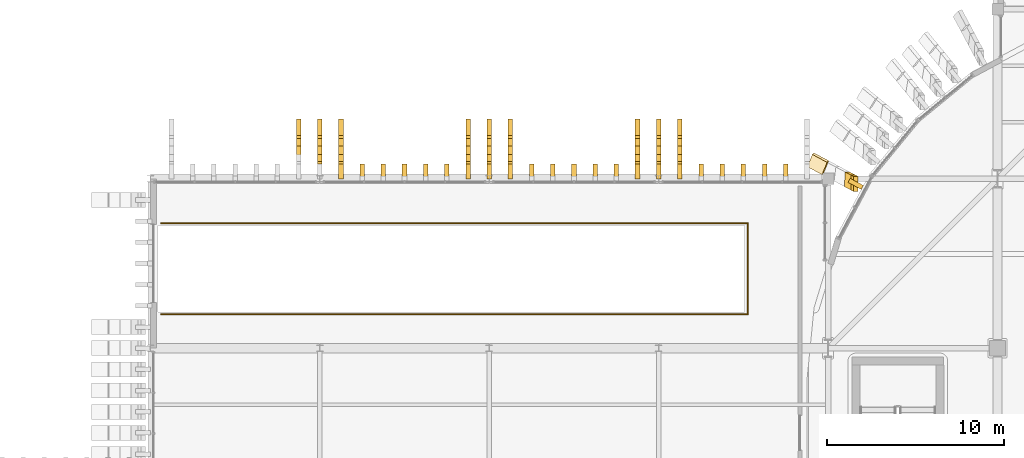
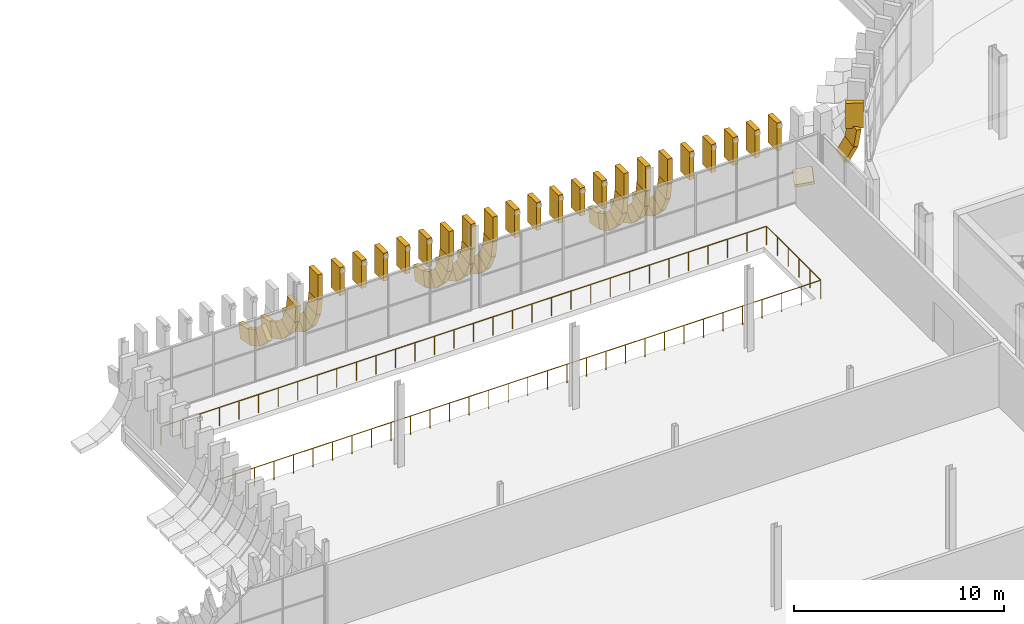
# One storey, part 80 of 100: 69 coverings, 1 railing.
"""IFC4 building model written with IfcOpenShell, lengths in metres."""

import ifcopenshell
import ifcopenshell.guid

model = None  # the IFC model being written
_history = None  # IfcOwnerHistory: only IFC2X3 demands one
_inside = {}  # id of a spatial element -> (the spatial element, [elements in it])
_under = {}  # id of a project, library or spatial element -> (it, [spatial elements below it])
_declared = {}  # id of a project -> (the project, [libraries it declares])
_typed = {}  # id of a type object -> (the type object, [elements of that type])
_made_of = {}  # id of a material, layer set ... -> (it, [elements and type objects made of it])


def new_model(schema):
    """Start an empty IFC model of exactly this schema.

    Asked for "IFC4X3", IfcOpenShell would pick the latest addendum, in which some entities
    have other attributes; the version numbers below select the first issue.
    IFC2X3 requires an IfcOwnerHistory on every rooted entity: one is made here for all.
    """
    global model, _history
    if schema == "IFC4X3":
        model = ifcopenshell.file(schema_version=(4, 3, 0, 0))
    else:
        model = ifcopenshell.file(schema=schema)
    _inside.clear()
    _under.clear()
    _declared.clear()
    _typed.clear()
    _made_of.clear()
    _history = None
    if model.schema == "IFC2X3":
        org = make("IfcOrganization", Name="unknown")
        user = make(
            "IfcPersonAndOrganization",
            ThePerson=make("IfcPerson", FamilyName="unknown"),
            TheOrganization=org,
        )
        app = make(
            "IfcApplication",
            ApplicationDeveloper=org,
            Version="unknown",
            ApplicationFullName="unknown",
            ApplicationIdentifier="unknown",
        )
        _history = make(
            "IfcOwnerHistory",
            OwningUser=user,
            OwningApplication=app,
            ChangeAction="ADDED",
            CreationDate=0,
        )
    return model


def make(cls, **values):
    """One entity of the class cls with the attributes given. An attribute that is None is left unset."""
    return model.create_entity(
        cls, **{name: value for name, value in values.items() if value is not None}
    )


def rooted(cls, **values):
    """An entity with a GlobalId (a new one), such as an element, a storey or a relation."""
    return make(cls, GlobalId=ifcopenshell.guid.new(), OwnerHistory=_history, **values)


def si_unit(unit_type, name, prefix=None):
    """IfcSIUnit, for example si_unit("LENGTHUNIT", "METRE", prefix="MILLI")."""
    return make("IfcSIUnit", UnitType=unit_type, Prefix=prefix, Name=name)


def assignment(units):
    """IfcUnitAssignment: the units of a project."""
    return None if units is None else make("IfcUnitAssignment", Units=units)


def point(xyz):
    """IfcCartesianPoint."""
    return None if xyz is None else make("IfcCartesianPoint", Coordinates=xyz)


def direction(xyz):
    """IfcDirection."""
    return None if xyz is None else make("IfcDirection", DirectionRatios=xyz)


def frame(location, z_axis=None, x_axis=None):
    """IfcAxis2Placement3D, a coordinate frame: its origin and axes. An axis left out is left unset."""
    return make(
        "IfcAxis2Placement3D",
        Location=point(location),
        Axis=direction(z_axis),
        RefDirection=direction(x_axis),
    )


def frame_2d(location, x_axis=None):
    """IfcAxis2Placement2D, a coordinate frame in the plane: its origin and x axis."""
    return make(
        "IfcAxis2Placement2D", Location=point(location), RefDirection=direction(x_axis)
    )


def origin():
    """The frame at (0, 0, 0) with its axes left unset."""
    return frame((0.0, 0.0, 0.0))


def origin_2d():
    """The frame at (0, 0) in the plane with its x axis left unset."""
    return frame_2d((0.0, 0.0))


def place(relative_to, where):
    """IfcLocalPlacement: puts the frame where relative to a parent placement (None: the world)."""
    return make(
        "IfcLocalPlacement", PlacementRelTo=relative_to, RelativePlacement=where
    )


def context(
    kind, dimensions, precision=None, world=None, true_north=None, identifier=None
):
    """IfcGeometricRepresentationContext, for example the 3D "Model" context."""
    return make(
        "IfcGeometricRepresentationContext",
        ContextIdentifier=identifier,
        ContextType=kind,
        CoordinateSpaceDimension=dimensions,
        Precision=precision,
        WorldCoordinateSystem=world,
        TrueNorth=true_north,
    )


def subcontext(parent, identifier, kind, view, scale=None):
    """IfcGeometricRepresentationSubContext, for example "Body" below "Model"."""
    return make(
        "IfcGeometricRepresentationSubContext",
        ContextIdentifier=identifier,
        ContextType=kind,
        ParentContext=parent,
        TargetScale=scale,
        TargetView=view,
    )


def project(units=None, contexts=None):
    """IfcProject with its units and contexts."""
    return rooted(
        "IfcProject",
        Name="project",
        RepresentationContexts=contexts,
        UnitsInContext=assignment(units),
    )


def spatial(cls, under=None, at=None, **own):
    """A site, building, storey or space (cls), placed at a placement, below another one or the project."""
    s = rooted(cls, ObjectPlacement=at, **own)
    if under is not None:
        _under.setdefault(under.id(), (under, []))[1].append(s)
    return s


def profile(cls, at=None, kind="AREA", **sizes):
    """A parametric profile (cls). Its sizes go by their IFC names, for example OverallWidth=200.0."""
    return make(cls, ProfileType=kind, Position=at, **sizes)


def rectangle(**sizes):
    """IfcRectangleProfileDef."""
    return profile("IfcRectangleProfileDef", **sizes)


def circle(**sizes):
    """IfcCircleProfileDef."""
    return profile("IfcCircleProfileDef", **sizes)


def extrude(swept, where, along, depth):
    """IfcExtrudedAreaSolid: the profile swept, set in the frame where, extruded along a direction by depth."""
    return make(
        "IfcExtrudedAreaSolid",
        SweptArea=swept,
        Position=where,
        ExtrudedDirection=direction(along),
        Depth=depth,
    )


def shape(context_of_items, identifier, shape_type, items):
    """IfcShapeRepresentation: the items that make up one representation, for example the "Body"."""
    return make(
        "IfcShapeRepresentation",
        ContextOfItems=context_of_items,
        RepresentationIdentifier=identifier,
        RepresentationType=shape_type,
        Items=items,
    )


def material(Name=None, Category=None):
    """IfcMaterial."""
    return make("IfcMaterial", Name=Name, Category=Category)


def material_profile(
    of_material, cross_section, Name=None, Category=None, Priority=None
):
    """IfcMaterialProfile: a cross section and its material."""
    return make(
        "IfcMaterialProfile",
        Name=Name,
        Material=of_material,
        Profile=cross_section,
        Priority=Priority,
        Category=Category,
    )


def profile_set(profiles, Name=None, composite=None):
    """IfcMaterialProfileSet."""
    return make(
        "IfcMaterialProfileSet",
        Name=Name,
        MaterialProfiles=profiles,
        CompositeProfile=composite,
    )


def made_of(thing, what):
    """Note that an element or type object is made of a material, layer set ...; save() writes the relation."""
    if what is not None:
        _made_of.setdefault(what.id(), (what, []))[1].append(thing)
    return thing


def type_object(cls, material=None, **own):
    """A type object (cls), such as IfcWallType, which elements share."""
    return made_of(rooted(cls, **own), material)


def element(
    cls,
    number,
    at=None,
    inside=None,
    cuts=None,
    type_object=None,
    material=None,
    context=None,
    identifier="Body",
    shape_type=None,
    held_by="IfcProductDefinitionShape",
    body=None,
    shapes=None,
    **own,
):
    """One element of the class cls, such as IfcWall. Its Tag is "e" and its number.

    at: its placement. inside: the storey or other place that contains it. cuts: it is an
    opening in that element (IfcRelVoidsElement). A single representation is given by context,
    identifier, shape_type and body (its items); several are given by shapes. held_by: the class
    of the entity that holds the representations. save() writes the other relations.
    """
    e = rooted(cls, Tag="e%d" % number, ObjectPlacement=at, **own)
    if body is not None:
        shapes = [shape(context, identifier, shape_type, body)]
    if shapes is not None:
        e.Representation = make(held_by, Representations=shapes)
    if inside is not None:
        _inside.setdefault(inside.id(), (inside, []))[1].append(e)
    if cuts is not None:
        rooted(
            "IfcRelVoidsElement", RelatingBuildingElement=cuts, RelatedOpeningElement=e
        )
    if type_object is not None:
        _typed.setdefault(type_object.id(), (type_object, []))[1].append(e)
    return made_of(e, material)


def aggregate(whole, parts):
    """IfcRelAggregates: a whole, such as a stair, and the parts it consists of."""
    return rooted("IfcRelAggregates", RelatingObject=whole, RelatedObjects=parts)


def save(model, path):
    """Write the relations noted so far, then the file.

    IfcRelAggregates (storeys below a building ...), IfcRelContainedInSpatialStructure (elements
    in a storey), IfcRelDefinesByType, IfcRelAssociatesMaterial and IfcRelDeclares: one each for
    every whole, place, type object, material and project.
    """
    for whole, parts in _under.values():
        aggregate(whole, parts)
    for where, things in _inside.values():
        rooted(
            "IfcRelContainedInSpatialStructure",
            RelatedElements=things,
            RelatingStructure=where,
        )
    for kind, things in _typed.values():
        rooted("IfcRelDefinesByType", RelatedObjects=things, RelatingType=kind)
    for what, things in _made_of.values():
        rooted("IfcRelAssociatesMaterial", RelatedObjects=things, RelatingMaterial=what)
    for by, libraries in _declared.values():
        rooted("IfcRelDeclares", RelatingContext=by, RelatedDefinitions=libraries)
    model.write(path)


model = new_model("IFC4")

# Units and contexts
model_context = context("Model", 3, precision=1e-05, world=origin(), true_north=direction((0.0, 1.0)))
body_context = subcontext(model_context, "Body", "Model", "MODEL_VIEW")
ifc_project = project(units=[si_unit("LENGTHUNIT", "METRE"), si_unit("AREAUNIT", "SQUARE_METRE"), si_unit("VOLUMEUNIT", "CUBIC_METRE"), si_unit("PLANEANGLEUNIT", "RADIAN"), si_unit("MASSUNIT", "GRAM", prefix="KILO")], contexts=[model_context])

# Site, building, storey
site_placement = place(None, origin())
site = spatial("IfcSite", under=ifc_project, at=site_placement, CompositionType="ELEMENT")
building_placement = place(site_placement, origin())
building = spatial("IfcBuilding", under=site, at=building_placement, Name="Caelomonte Colonnade Arena", CompositionType="ELEMENT")
storey_placement = place(building_placement, origin())
storey = spatial("IfcBuildingStorey", under=building, at=storey_placement, Name="L00", CompositionType="ELEMENT", Elevation=0.0)

# Coverings
ifc_material_1 = material(Name="Precast travertine cladding", Category="masonry")
ifc_material_profile = material_profile(ifc_material_1, rectangle(XDim=0.260009765625, YDim=0.85009765625, at=origin_2d()), Name="FIN260X850")
ifc_profile_set = profile_set([ifc_material_profile], Name="Precast travertine cladding")
covering_type = type_object("IfcCoveringType", Name="ENV-FN-SKIRT", PredefinedType="CLADDING", material=ifc_profile_set)
covering_1_placement = place(storey_placement, frame((59.1630859375, 105.30859375, 3.360107421875), z_axis=(0.0, 0.0, 1.0), x_axis=(0.471396736826, 0.881921264348, 0.0)))
element("IfcCovering", 1, at=covering_1_placement, inside=storey, type_object=covering_type, Name="V1 L00 upper classical fin stem 162", PredefinedType="CLADDING", context=body_context, shape_type="SweptSolid", body=[
    extrude(rectangle(XDim=0.260009765625, YDim=0.85009765625, at=origin_2d()), origin(), (0.0, 0.0, 1.0), 1.4599609375),
])
covering_2_placement = place(storey_placement, frame((59.169189453125, 105.305419921875, 3.474609375), z_axis=(-0.134914460622, 0.071938231247, -0.988242368653), x_axis=(-0.990849648696, -0.005888534014, 0.134841754834)))
element("IfcCovering", 2, at=covering_2_placement, inside=storey, type_object=covering_type, Name="V1 L00 splayed classical fin skirt chord 1 (162)", PredefinedType="CLADDING", context=body_context, shape_type="SweptSolid", body=[
    extrude(rectangle(XDim=0.260009765625, YDim=0.85009765625, at=origin_2d()), origin(), (0.0, 0.0, 1.0), 1.008056640625),
])
covering_3_placement = place(storey_placement, frame((59.056884765625, 105.365234375, 2.563232421875), z_axis=(-0.391946220505, 0.20953861603, -0.895807863676), x_axis=(-0.918964256265, -0.043245186336, 0.391962433871)))
element("IfcCovering", 3, at=covering_3_placement, inside=storey, type_object=covering_type, Name="V1 L00 splayed classical fin skirt chord 2 (162)", PredefinedType="CLADDING", context=body_context, shape_type="SweptSolid", body=[
    extrude(rectangle(XDim=0.260009765625, YDim=0.85009765625, at=origin_2d()), origin(), (0.0, 0.0, 1.0), 1.0078125),
])
covering_4_placement = place(storey_placement, frame((57.444091796875, 106.2275390625, 0.6123046875), z_axis=(-0.866347286164, 0.46296463112, -0.187366299232), x_axis=(-0.367912950986, -0.337875671613, 0.866302540126)))
element("IfcCovering", 4, at=covering_4_placement, inside=storey, type_object=covering_type, Name="V1 L00 splayed classical fin skirt chord 5 (162)", PredefinedType="CLADDING", context=body_context, shape_type="SweptSolid", body=[
    extrude(rectangle(XDim=0.260009765625, YDim=0.85009765625, at=origin_2d()), origin(), (0.0, 0.0, 1.0), 0.962890625),
])
for number, where, z_axis, x_axis, name in (
    (5, (55.199951171875, 106.02099609375, 3.199951171875), (0.0, 0.0, 1.0), (1.0, 0.0, 0.0), "V5D L00 over-portal classical fin header 5"),
    (6, (54.0, 106.02099609375, 3.199951171875), (0.0, 0.0, 1.0), (1.0, 0.0, 0.0), "V5D L00 over-portal classical fin header 6"),
    (7, (52.800048828125, 106.02099609375, 3.199951171875), (0.0, 0.0, 1.0), (1.0, 0.0, 0.0), "V5D L00 over-portal classical fin header 7"),
    (8, (51.60009765625, 106.02099609375, 3.199951171875), (0.0, 0.0, 1.0), (1.0, 0.0, 0.0), "V5D L00 over-portal classical fin header 8"),
    (9, (50.39990234375, 106.02099609375, 3.199951171875), (0.0, 0.0, 1.0), (1.0, 0.0, 0.0), "V5D L00 over-portal classical fin header 9"),
):
    element("IfcCovering", number, at=place(storey_placement, frame(where, z_axis=z_axis, x_axis=x_axis)), inside=storey, type_object=covering_type, Name=name, PredefinedType="CLADDING", context=body_context, shape_type="SweptSolid", body=[
        extrude(rectangle(XDim=0.260009765625, YDim=0.85009765625, at=origin_2d()), origin(), (0.0, 0.0, 1.0), 1.6201171875),
    ])
covering_5_placement = place(storey_placement, frame((49.199951171875, 106.02099609375, 3.360107421875), z_axis=(0.0, 0.0, 1.0), x_axis=(1.0, 0.0, 0.0)))
element("IfcCovering", 10, at=covering_5_placement, inside=storey, type_object=covering_type, Name="V5D L00 upper classical fin stem 10", PredefinedType="CLADDING", context=body_context, shape_type="SweptSolid", body=[
    extrude(rectangle(XDim=0.260009765625, YDim=0.85009765625, at=origin_2d()), origin(), (0.0, 0.0, 1.0), 1.4599609375),
])
for number, where, z_axis, x_axis, name in (
    (11, (49.199951171875, 106.01416015625, 3.474609375), (0.0, 0.15283979596, -0.988250978634), (-1.0, 0.0, 0.0), "V5D L00 splayed classical fin skirt chord 1 (10)"),
    (12, (49.199951171875, 106.141357421875, 2.563232421875), (0.0, 0.444692864571, -0.89568312265), (-1.0, 0.0, 0.0), "V5D L00 splayed classical fin skirt chord 2 (10)"),
    (13, (49.199951171875, 106.538330078125, 1.733154296875), (0.0, 0.694646381209, -0.71935137803), (-1.0, 0.0, 0.0), "V5D L00 splayed classical fin skirt chord 3 (10)"),
    (14, (49.199951171875, 107.16748046875, 1.061767578125), (0.0, 0.879731158529, -0.475471438379), (-1.0, 0.0, 0.0), "V5D L00 splayed classical fin skirt chord 4 (10)"),
):
    element("IfcCovering", number, at=place(storey_placement, frame(where, z_axis=z_axis, x_axis=x_axis)), inside=storey, type_object=covering_type, Name=name, PredefinedType="CLADDING", context=body_context, shape_type="SweptSolid", body=[
        extrude(rectangle(XDim=0.260009765625, YDim=0.85009765625, at=origin_2d()), origin(), (0.0, 0.0, 1.0), 1.008056640625),
    ])
covering_6_placement = place(storey_placement, frame((49.199951171875, 107.970458984375, 0.6123046875), z_axis=(0.0, 0.982287485173, -0.187380085582), x_axis=(-1.0, 0.0, 0.0)))
element("IfcCovering", 15, at=covering_6_placement, inside=storey, type_object=covering_type, Name="V5D L00 splayed classical fin skirt chord 5 (10)", PredefinedType="CLADDING", context=body_context, shape_type="SweptSolid", body=[
    extrude(rectangle(XDim=0.260009765625, YDim=0.85009765625, at=origin_2d()), origin(), (0.0, 0.0, 1.0), 0.962890625),
])
covering_7_placement = place(storey_placement, frame((48.0, 106.02099609375, 3.360107421875), z_axis=(0.0, 0.0, 1.0), x_axis=(1.0, 0.0, 0.0)))
element("IfcCovering", 16, at=covering_7_placement, inside=storey, type_object=covering_type, Name="V5D L00 upper classical fin stem 11", PredefinedType="CLADDING", context=body_context, shape_type="SweptSolid", body=[
    extrude(rectangle(XDim=0.260009765625, YDim=0.85009765625, at=origin_2d()), origin(), (0.0, 0.0, 1.0), 1.4599609375),
])
for number, where, z_axis, x_axis, name in (
    (17, (48.0, 106.01416015625, 3.474609375), (0.0, 0.15283979596, -0.988250978634), (-1.0, 0.0, 0.0), "V5D L00 splayed classical fin skirt chord 1 (11)"),
    (18, (48.0, 106.141357421875, 2.563232421875), (0.0, 0.444692864571, -0.89568312265), (-1.0, 0.0, 0.0), "V5D L00 splayed classical fin skirt chord 2 (11)"),
    (19, (48.0, 106.538330078125, 1.733154296875), (0.0, 0.694646381209, -0.71935137803), (-1.0, 0.0, 0.0), "V5D L00 splayed classical fin skirt chord 3 (11)"),
    (20, (48.0, 107.16748046875, 1.061767578125), (0.0, 0.879731158529, -0.475471438379), (-1.0, 0.0, 0.0), "V5D L00 splayed classical fin skirt chord 4 (11)"),
):
    element("IfcCovering", number, at=place(storey_placement, frame(where, z_axis=z_axis, x_axis=x_axis)), inside=storey, type_object=covering_type, Name=name, PredefinedType="CLADDING", context=body_context, shape_type="SweptSolid", body=[
        extrude(rectangle(XDim=0.260009765625, YDim=0.85009765625, at=origin_2d()), origin(), (0.0, 0.0, 1.0), 1.008056640625),
    ])
covering_8_placement = place(storey_placement, frame((48.0, 107.970458984375, 0.6123046875), z_axis=(0.0, 0.982287485173, -0.187380085582), x_axis=(-1.0, 0.0, 0.0)))
element("IfcCovering", 21, at=covering_8_placement, inside=storey, type_object=covering_type, Name="V5D L00 splayed classical fin skirt chord 5 (11)", PredefinedType="CLADDING", context=body_context, shape_type="SweptSolid", body=[
    extrude(rectangle(XDim=0.260009765625, YDim=0.85009765625, at=origin_2d()), origin(), (0.0, 0.0, 1.0), 0.962890625),
])
covering_9_placement = place(storey_placement, frame((46.800048828125, 106.02099609375, 3.360107421875), z_axis=(0.0, 0.0, 1.0), x_axis=(1.0, 0.0, 0.0)))
element("IfcCovering", 22, at=covering_9_placement, inside=storey, type_object=covering_type, Name="V5D L00 upper classical fin stem 12", PredefinedType="CLADDING", context=body_context, shape_type="SweptSolid", body=[
    extrude(rectangle(XDim=0.260009765625, YDim=0.85009765625, at=origin_2d()), origin(), (0.0, 0.0, 1.0), 1.4599609375),
])
for number, where, z_axis, x_axis, name in (
    (23, (46.800048828125, 106.01416015625, 3.474609375), (0.0, 0.15283979596, -0.988250978634), (-1.0, 0.0, 0.0), "V5D L00 splayed classical fin skirt chord 1 (12)"),
    (24, (46.800048828125, 106.141357421875, 2.563232421875), (0.0, 0.444692864571, -0.89568312265), (-1.0, 0.0, 0.0), "V5D L00 splayed classical fin skirt chord 2 (12)"),
    (25, (46.800048828125, 106.538330078125, 1.733154296875), (0.0, 0.694646381209, -0.71935137803), (-1.0, 0.0, 0.0), "V5D L00 splayed classical fin skirt chord 3 (12)"),
    (26, (46.800048828125, 107.16748046875, 1.061767578125), (0.0, 0.879731158529, -0.475471438379), (-1.0, 0.0, 0.0), "V5D L00 splayed classical fin skirt chord 4 (12)"),
):
    element("IfcCovering", number, at=place(storey_placement, frame(where, z_axis=z_axis, x_axis=x_axis)), inside=storey, type_object=covering_type, Name=name, PredefinedType="CLADDING", context=body_context, shape_type="SweptSolid", body=[
        extrude(rectangle(XDim=0.260009765625, YDim=0.85009765625, at=origin_2d()), origin(), (0.0, 0.0, 1.0), 1.008056640625),
    ])
covering_10_placement = place(storey_placement, frame((46.800048828125, 107.970458984375, 0.6123046875), z_axis=(0.0, 0.982287485173, -0.187380085582), x_axis=(-1.0, 0.0, 0.0)))
element("IfcCovering", 27, at=covering_10_placement, inside=storey, type_object=covering_type, Name="V5D L00 splayed classical fin skirt chord 5 (12)", PredefinedType="CLADDING", context=body_context, shape_type="SweptSolid", body=[
    extrude(rectangle(XDim=0.260009765625, YDim=0.85009765625, at=origin_2d()), origin(), (0.0, 0.0, 1.0), 0.962890625),
])
for number, where, z_axis, x_axis, name in (
    (28, (45.60009765625, 106.02099609375, 3.199951171875), (0.0, 0.0, 1.0), (1.0, 0.0, 0.0), "V5D L00 over-portal classical fin header 13"),
    (29, (44.39990234375, 106.02099609375, 3.199951171875), (0.0, 0.0, 1.0), (1.0, 0.0, 0.0), "V5D L00 over-portal classical fin header 14"),
    (30, (43.199951171875, 106.02099609375, 3.199951171875), (0.0, 0.0, 1.0), (1.0, 0.0, 0.0), "V5D L00 over-portal classical fin header 15"),
    (31, (42.0, 106.02099609375, 3.199951171875), (0.0, 0.0, 1.0), (1.0, 0.0, 0.0), "V5D L00 over-portal classical fin header 16"),
    (32, (40.800048828125, 106.02099609375, 3.199951171875), (0.0, 0.0, 1.0), (1.0, 0.0, 0.0), "V5D L00 over-portal classical fin header 17"),
):
    element("IfcCovering", number, at=place(storey_placement, frame(where, z_axis=z_axis, x_axis=x_axis)), inside=storey, type_object=covering_type, Name=name, PredefinedType="CLADDING", context=body_context, shape_type="SweptSolid", body=[
        extrude(rectangle(XDim=0.260009765625, YDim=0.85009765625, at=origin_2d()), origin(), (0.0, 0.0, 1.0), 1.6201171875),
    ])
covering_11_placement = place(storey_placement, frame((39.60009765625, 106.02099609375, 3.360107421875), z_axis=(0.0, 0.0, 1.0), x_axis=(1.0, 0.0, 0.0)))
element("IfcCovering", 33, at=covering_11_placement, inside=storey, type_object=covering_type, Name="V5D L00 upper classical fin stem 18", PredefinedType="CLADDING", context=body_context, shape_type="SweptSolid", body=[
    extrude(rectangle(XDim=0.260009765625, YDim=0.85009765625, at=origin_2d()), origin(), (0.0, 0.0, 1.0), 1.4599609375),
])
for number, where, z_axis, x_axis, name in (
    (34, (39.60009765625, 106.01416015625, 3.474609375), (0.0, 0.15283979596, -0.988250978634), (-1.0, 0.0, 0.0), "V5D L00 splayed classical fin skirt chord 1 (18)"),
    (35, (39.60009765625, 106.141357421875, 2.563232421875), (0.0, 0.444692864571, -0.89568312265), (-1.0, 0.0, 0.0), "V5D L00 splayed classical fin skirt chord 2 (18)"),
    (36, (39.60009765625, 106.538330078125, 1.733154296875), (0.0, 0.694646381209, -0.71935137803), (-1.0, 0.0, 0.0), "V5D L00 splayed classical fin skirt chord 3 (18)"),
    (37, (39.60009765625, 107.16748046875, 1.061767578125), (0.0, 0.879731158529, -0.475471438379), (-1.0, 0.0, 0.0), "V5D L00 splayed classical fin skirt chord 4 (18)"),
):
    element("IfcCovering", number, at=place(storey_placement, frame(where, z_axis=z_axis, x_axis=x_axis)), inside=storey, type_object=covering_type, Name=name, PredefinedType="CLADDING", context=body_context, shape_type="SweptSolid", body=[
        extrude(rectangle(XDim=0.260009765625, YDim=0.85009765625, at=origin_2d()), origin(), (0.0, 0.0, 1.0), 1.008056640625),
    ])
covering_12_placement = place(storey_placement, frame((39.60009765625, 107.970458984375, 0.6123046875), z_axis=(0.0, 0.982287485173, -0.187380085582), x_axis=(-1.0, 0.0, 0.0)))
element("IfcCovering", 38, at=covering_12_placement, inside=storey, type_object=covering_type, Name="V5D L00 splayed classical fin skirt chord 5 (18)", PredefinedType="CLADDING", context=body_context, shape_type="SweptSolid", body=[
    extrude(rectangle(XDim=0.260009765625, YDim=0.85009765625, at=origin_2d()), origin(), (0.0, 0.0, 1.0), 0.962890625),
])
covering_13_placement = place(storey_placement, frame((38.39990234375, 106.02099609375, 3.360107421875), z_axis=(0.0, 0.0, 1.0), x_axis=(1.0, 0.0, 0.0)))
element("IfcCovering", 39, at=covering_13_placement, inside=storey, type_object=covering_type, Name="V5D L00 upper classical fin stem 19", PredefinedType="CLADDING", context=body_context, shape_type="SweptSolid", body=[
    extrude(rectangle(XDim=0.260009765625, YDim=0.85009765625, at=origin_2d()), origin(), (0.0, 0.0, 1.0), 1.4599609375),
])
for number, where, z_axis, x_axis, name in (
    (40, (38.39990234375, 106.01416015625, 3.474609375), (0.0, 0.15283979596, -0.988250978634), (-1.0, 0.0, 0.0), "V5D L00 splayed classical fin skirt chord 1 (19)"),
    (41, (38.39990234375, 106.141357421875, 2.563232421875), (0.0, 0.444692864571, -0.89568312265), (-1.0, 0.0, 0.0), "V5D L00 splayed classical fin skirt chord 2 (19)"),
    (42, (38.39990234375, 106.538330078125, 1.733154296875), (0.0, 0.694646381209, -0.71935137803), (-1.0, 0.0, 0.0), "V5D L00 splayed classical fin skirt chord 3 (19)"),
    (43, (38.39990234375, 107.16748046875, 1.061767578125), (0.0, 0.879731158529, -0.475471438379), (-1.0, 0.0, 0.0), "V5D L00 splayed classical fin skirt chord 4 (19)"),
):
    element("IfcCovering", number, at=place(storey_placement, frame(where, z_axis=z_axis, x_axis=x_axis)), inside=storey, type_object=covering_type, Name=name, PredefinedType="CLADDING", context=body_context, shape_type="SweptSolid", body=[
        extrude(rectangle(XDim=0.260009765625, YDim=0.85009765625, at=origin_2d()), origin(), (0.0, 0.0, 1.0), 1.008056640625),
    ])
covering_14_placement = place(storey_placement, frame((38.39990234375, 107.970458984375, 0.6123046875), z_axis=(0.0, 0.982287485173, -0.187380085582), x_axis=(-1.0, 0.0, 0.0)))
element("IfcCovering", 44, at=covering_14_placement, inside=storey, type_object=covering_type, Name="V5D L00 splayed classical fin skirt chord 5 (19)", PredefinedType="CLADDING", context=body_context, shape_type="SweptSolid", body=[
    extrude(rectangle(XDim=0.260009765625, YDim=0.85009765625, at=origin_2d()), origin(), (0.0, 0.0, 1.0), 0.962890625),
])
covering_15_placement = place(storey_placement, frame((37.199951171875, 106.02099609375, 3.360107421875), z_axis=(0.0, 0.0, 1.0), x_axis=(1.0, 0.0, 0.0)))
element("IfcCovering", 45, at=covering_15_placement, inside=storey, type_object=covering_type, Name="V5D L00 upper classical fin stem 20", PredefinedType="CLADDING", context=body_context, shape_type="SweptSolid", body=[
    extrude(rectangle(XDim=0.260009765625, YDim=0.85009765625, at=origin_2d()), origin(), (0.0, 0.0, 1.0), 1.4599609375),
])
for number, where, z_axis, x_axis, name in (
    (46, (37.199951171875, 106.01416015625, 3.474609375), (0.0, 0.15283979596, -0.988250978634), (-1.0, 0.0, 0.0), "V5D L00 splayed classical fin skirt chord 1 (20)"),
    (47, (37.199951171875, 106.141357421875, 2.563232421875), (0.0, 0.444692864571, -0.89568312265), (-1.0, 0.0, 0.0), "V5D L00 splayed classical fin skirt chord 2 (20)"),
    (48, (37.199951171875, 106.538330078125, 1.733154296875), (0.0, 0.694646381209, -0.71935137803), (-1.0, 0.0, 0.0), "V5D L00 splayed classical fin skirt chord 3 (20)"),
    (49, (37.199951171875, 107.16748046875, 1.061767578125), (0.0, 0.879731158529, -0.475471438379), (-1.0, 0.0, 0.0), "V5D L00 splayed classical fin skirt chord 4 (20)"),
):
    element("IfcCovering", number, at=place(storey_placement, frame(where, z_axis=z_axis, x_axis=x_axis)), inside=storey, type_object=covering_type, Name=name, PredefinedType="CLADDING", context=body_context, shape_type="SweptSolid", body=[
        extrude(rectangle(XDim=0.260009765625, YDim=0.85009765625, at=origin_2d()), origin(), (0.0, 0.0, 1.0), 1.008056640625),
    ])
covering_16_placement = place(storey_placement, frame((37.199951171875, 107.970458984375, 0.6123046875), z_axis=(0.0, 0.982287485173, -0.187380085582), x_axis=(-1.0, 0.0, 0.0)))
element("IfcCovering", 50, at=covering_16_placement, inside=storey, type_object=covering_type, Name="V5D L00 splayed classical fin skirt chord 5 (20)", PredefinedType="CLADDING", context=body_context, shape_type="SweptSolid", body=[
    extrude(rectangle(XDim=0.260009765625, YDim=0.85009765625, at=origin_2d()), origin(), (0.0, 0.0, 1.0), 0.962890625),
])
for number, where, z_axis, x_axis, name in (
    (51, (36.0, 106.02099609375, 3.199951171875), (0.0, 0.0, 1.0), (1.0, 0.0, 0.0), "V5D L00 over-portal classical fin header 21"),
    (52, (34.800048828125, 106.02099609375, 3.199951171875), (0.0, 0.0, 1.0), (1.0, 0.0, 0.0), "V5D L00 over-portal classical fin header 22"),
    (53, (33.60009765625, 106.02099609375, 3.199951171875), (0.0, 0.0, 1.0), (1.0, 0.0, 0.0), "V5D L00 over-portal classical fin header 23"),
    (54, (32.39990234375, 106.02099609375, 3.199951171875), (0.0, 0.0, 1.0), (1.0, 0.0, 0.0), "V5D L00 over-portal classical fin header 24"),
    (55, (31.199951171875, 106.02099609375, 3.199951171875), (0.0, 0.0, 1.0), (1.0, 0.0, 0.0), "V5D L00 over-portal classical fin header 25"),
):
    element("IfcCovering", number, at=place(storey_placement, frame(where, z_axis=z_axis, x_axis=x_axis)), inside=storey, type_object=covering_type, Name=name, PredefinedType="CLADDING", context=body_context, shape_type="SweptSolid", body=[
        extrude(rectangle(XDim=0.260009765625, YDim=0.85009765625, at=origin_2d()), origin(), (0.0, 0.0, 1.0), 1.6201171875),
    ])
covering_17_placement = place(storey_placement, frame((30.0, 106.02099609375, 3.360107421875), z_axis=(0.0, 0.0, 1.0), x_axis=(1.0, 0.0, 0.0)))
element("IfcCovering", 56, at=covering_17_placement, inside=storey, type_object=covering_type, Name="V5D L00 upper classical fin stem 26", PredefinedType="CLADDING", context=body_context, shape_type="SweptSolid", body=[
    extrude(rectangle(XDim=0.260009765625, YDim=0.85009765625, at=origin_2d()), origin(), (0.0, 0.0, 1.0), 1.4599609375),
])
for number, where, z_axis, x_axis, name in (
    (57, (30.0, 106.01416015625, 3.474609375), (0.0, 0.15283979596, -0.988250978634), (-1.0, 0.0, 0.0), "V5D L00 splayed classical fin skirt chord 1 (26)"),
    (58, (30.0, 106.141357421875, 2.563232421875), (0.0, 0.444692864571, -0.89568312265), (-1.0, 0.0, 0.0), "V5D L00 splayed classical fin skirt chord 2 (26)"),
    (59, (30.0, 106.538330078125, 1.733154296875), (0.0, 0.694646381209, -0.71935137803), (-1.0, 0.0, 0.0), "V5D L00 splayed classical fin skirt chord 3 (26)"),
    (60, (30.0, 107.16748046875, 1.061767578125), (0.0, 0.879731158529, -0.475471438379), (-1.0, 0.0, 0.0), "V5D L00 splayed classical fin skirt chord 4 (26)"),
):
    element("IfcCovering", number, at=place(storey_placement, frame(where, z_axis=z_axis, x_axis=x_axis)), inside=storey, type_object=covering_type, Name=name, PredefinedType="CLADDING", context=body_context, shape_type="SweptSolid", body=[
        extrude(rectangle(XDim=0.260009765625, YDim=0.85009765625, at=origin_2d()), origin(), (0.0, 0.0, 1.0), 1.008056640625),
    ])
covering_18_placement = place(storey_placement, frame((30.0, 107.970458984375, 0.6123046875), z_axis=(0.0, 0.982287485173, -0.187380085582), x_axis=(-1.0, 0.0, 0.0)))
element("IfcCovering", 61, at=covering_18_placement, inside=storey, type_object=covering_type, Name="V5D L00 splayed classical fin skirt chord 5 (26)", PredefinedType="CLADDING", context=body_context, shape_type="SweptSolid", body=[
    extrude(rectangle(XDim=0.260009765625, YDim=0.85009765625, at=origin_2d()), origin(), (0.0, 0.0, 1.0), 0.962890625),
])
for number, where, z_axis, x_axis, name in (
    (62, (28.800048828125, 106.01416015625, 3.474609375), (0.0, 0.15283979596, -0.988250978634), (-1.0, 0.0, 0.0), "V5D L00 splayed classical fin skirt chord 1 (27)"),
    (63, (28.800048828125, 106.141357421875, 2.563232421875), (0.0, 0.444692864571, -0.89568312265), (-1.0, 0.0, 0.0), "V5D L00 splayed classical fin skirt chord 2 (27)"),
    (64, (28.800048828125, 106.538330078125, 1.733154296875), (0.0, 0.694646381209, -0.71935137803), (-1.0, 0.0, 0.0), "V5D L00 splayed classical fin skirt chord 3 (27)"),
    (65, (28.800048828125, 107.16748046875, 1.061767578125), (0.0, 0.879731158529, -0.475471438379), (-1.0, 0.0, 0.0), "V5D L00 splayed classical fin skirt chord 4 (27)"),
):
    element("IfcCovering", number, at=place(storey_placement, frame(where, z_axis=z_axis, x_axis=x_axis)), inside=storey, type_object=covering_type, Name=name, PredefinedType="CLADDING", context=body_context, shape_type="SweptSolid", body=[
        extrude(rectangle(XDim=0.260009765625, YDim=0.85009765625, at=origin_2d()), origin(), (0.0, 0.0, 1.0), 1.008056640625),
    ])
covering_19_placement = place(storey_placement, frame((28.800048828125, 107.970458984375, 0.6123046875), z_axis=(0.0, 0.982287485173, -0.187380085582), x_axis=(-1.0, 0.0, 0.0)))
element("IfcCovering", 66, at=covering_19_placement, inside=storey, type_object=covering_type, Name="V5D L00 splayed classical fin skirt chord 5 (27)", PredefinedType="CLADDING", context=body_context, shape_type="SweptSolid", body=[
    extrude(rectangle(XDim=0.260009765625, YDim=0.85009765625, at=origin_2d()), origin(), (0.0, 0.0, 1.0), 0.962890625),
])
for number, where, z_axis, x_axis, name in (
    (67, (27.60009765625, 106.538330078125, 1.733154296875), (0.0, 0.694646381209, -0.71935137803), (-1.0, 0.0, 0.0), "V5D L00 splayed classical fin skirt chord 3 (28)"),
    (68, (27.60009765625, 107.16748046875, 1.061767578125), (0.0, 0.879731158529, -0.475471438379), (-1.0, 0.0, 0.0), "V5D L00 splayed classical fin skirt chord 4 (28)"),
):
    element("IfcCovering", number, at=place(storey_placement, frame(where, z_axis=z_axis, x_axis=x_axis)), inside=storey, type_object=covering_type, Name=name, PredefinedType="CLADDING", context=body_context, shape_type="SweptSolid", body=[
        extrude(rectangle(XDim=0.260009765625, YDim=0.85009765625, at=origin_2d()), origin(), (0.0, 0.0, 1.0), 1.008056640625),
    ])
covering_20_placement = place(storey_placement, frame((27.60009765625, 107.970458984375, 0.6123046875), z_axis=(0.0, 0.982287485173, -0.187380085582), x_axis=(-1.0, 0.0, 0.0)))
element("IfcCovering", 69, at=covering_20_placement, inside=storey, type_object=covering_type, Name="V5D L00 splayed classical fin skirt chord 5 (28)", PredefinedType="CLADDING", context=body_context, shape_type="SweptSolid", body=[
    extrude(rectangle(XDim=0.260009765625, YDim=0.85009765625, at=origin_2d()), origin(), (0.0, 0.0, 1.0), 0.962890625),
])

# Railing
ifc_material_2 = material(Name="Painted galvanized steel handrail and posts", Category="steel")
railing_type = type_object("IfcRailingType", Name="ENV-RL-GRD1", PredefinedType="GUARDRAIL", material=ifc_material_2)
railing_placement = place(storey_placement, frame((19.800048828125, 97.919921875, 0.0)))
element("IfcRailing", 70, at=railing_placement, inside=storey, type_object=railing_type, Name="Vehicle ramp VR-01 L00 well perimeter guard", PredefinedType="GUARDRAIL", context=body_context, shape_type="SweptSolid", body=[
    extrude(circle(Radius=0.02392578125, at=origin_2d()), frame((0.0, 0.0, 1.076171875), z_axis=(1.0, 0.0, 0.0), x_axis=(0.0, 1.0, 0.0)), (0.0, 0.0, 1.0), 33.21875),
    extrude(circle(Radius=0.02392578125, at=origin_2d()), frame((33.25, 0.03125, 1.076171875), z_axis=(0.0, 1.0, 0.0), x_axis=(-1.0, 0.0, 0.0)), (0.0, 0.0, 1.0), 5.09765625),
    extrude(circle(Radius=0.02392578125, at=origin_2d()), frame((33.21875, 5.16015625, 1.076171875), z_axis=(-1.0, 0.0, 0.0), x_axis=(0.0, -1.0, 0.0)), (0.0, 0.0, 1.0), 33.21875),
    extrude(circle(Radius=0.02099609375, at=origin_2d()), origin(), (0.0, 0.0, 1.0), 1.048095703125),
    extrude(circle(Radius=0.02099609375, at=origin_2d()), frame((1.072509765625, 0.0, 0.0)), (0.0, 0.0, 1.0), 1.048095703125),
    extrude(circle(Radius=0.02099609375, at=origin_2d()), frame((2.145263671875, 0.0, 0.0)), (0.0, 0.0, 1.0), 1.048095703125),
    extrude(circle(Radius=0.02099609375, at=origin_2d()), frame((3.2177734375, 0.0, 0.0)), (0.0, 0.0, 1.0), 1.048095703125),
    extrude(circle(Radius=0.02099609375, at=origin_2d()), frame((4.290283203125, 0.0, 0.0)), (0.0, 0.0, 1.0), 1.048095703125),
    extrude(circle(Radius=0.02099609375, at=origin_2d()), frame((5.36279296875, 0.0, 0.0)), (0.0, 0.0, 1.0), 1.048095703125),
    extrude(circle(Radius=0.02099609375, at=origin_2d()), frame((6.435546875, 0.0, 0.0)), (0.0, 0.0, 1.0), 1.048095703125),
    extrude(circle(Radius=0.02099609375, at=origin_2d()), frame((7.508056640625, 0.0, 0.0)), (0.0, 0.0, 1.0), 1.048095703125),
    extrude(circle(Radius=0.02099609375, at=origin_2d()), frame((8.58056640625, 0.0, 0.0)), (0.0, 0.0, 1.0), 1.048095703125),
    extrude(circle(Radius=0.02099609375, at=origin_2d()), frame((9.6533203125, 0.0, 0.0)), (0.0, 0.0, 1.0), 1.048095703125),
    extrude(circle(Radius=0.02099609375, at=origin_2d()), frame((10.725830078125, 0.0, 0.0)), (0.0, 0.0, 1.0), 1.048095703125),
    extrude(circle(Radius=0.02099609375, at=origin_2d()), frame((11.79833984375, 0.0, 0.0)), (0.0, 0.0, 1.0), 1.048095703125),
    extrude(circle(Radius=0.02099609375, at=origin_2d()), frame((12.870849609375, 0.0, 0.0)), (0.0, 0.0, 1.0), 1.048095703125),
    extrude(circle(Radius=0.02099609375, at=origin_2d()), frame((13.943603515625, 0.0, 0.0)), (0.0, 0.0, 1.0), 1.048095703125),
    extrude(circle(Radius=0.02099609375, at=origin_2d()), frame((15.01611328125, 0.0, 0.0)), (0.0, 0.0, 1.0), 1.048095703125),
    extrude(circle(Radius=0.02099609375, at=origin_2d()), frame((16.088623046875, 0.0, 0.0)), (0.0, 0.0, 1.0), 1.048095703125),
    extrude(circle(Radius=0.02099609375, at=origin_2d()), frame((17.161376953125, 0.0, 0.0)), (0.0, 0.0, 1.0), 1.048095703125),
    extrude(circle(Radius=0.02099609375, at=origin_2d()), frame((18.23388671875, 0.0, 0.0)), (0.0, 0.0, 1.0), 1.048095703125),
    extrude(circle(Radius=0.02099609375, at=origin_2d()), frame((19.306396484375, 0.0, 0.0)), (0.0, 0.0, 1.0), 1.048095703125),
    extrude(circle(Radius=0.02099609375, at=origin_2d()), frame((20.379150390625, 0.0, 0.0)), (0.0, 0.0, 1.0), 1.048095703125),
    extrude(circle(Radius=0.02099609375, at=origin_2d()), frame((21.45166015625, 0.0, 0.0)), (0.0, 0.0, 1.0), 1.048095703125),
    extrude(circle(Radius=0.02099609375, at=origin_2d()), frame((22.524169921875, 0.0, 0.0)), (0.0, 0.0, 1.0), 1.048095703125),
    extrude(circle(Radius=0.02099609375, at=origin_2d()), frame((23.5966796875, 0.0, 0.0)), (0.0, 0.0, 1.0), 1.048095703125),
    extrude(circle(Radius=0.02099609375, at=origin_2d()), frame((24.66943359375, 0.0, 0.0)), (0.0, 0.0, 1.0), 1.048095703125),
    extrude(circle(Radius=0.02099609375, at=origin_2d()), frame((25.741943359375, 0.0, 0.0)), (0.0, 0.0, 1.0), 1.048095703125),
    extrude(circle(Radius=0.02099609375, at=origin_2d()), frame((26.814453125, 0.0, 0.0)), (0.0, 0.0, 1.0), 1.048095703125),
    extrude(circle(Radius=0.02099609375, at=origin_2d()), frame((27.88720703125, 0.0, 0.0)), (0.0, 0.0, 1.0), 1.048095703125),
    extrude(circle(Radius=0.02099609375, at=origin_2d()), frame((28.959716796875, 0.0, 0.0)), (0.0, 0.0, 1.0), 1.048095703125),
    extrude(circle(Radius=0.02099609375, at=origin_2d()), frame((30.0322265625, 0.0, 0.0)), (0.0, 0.0, 1.0), 1.048095703125),
    extrude(circle(Radius=0.02099609375, at=origin_2d()), frame((31.104736328125, 0.0, 0.0)), (0.0, 0.0, 1.0), 1.048095703125),
    extrude(circle(Radius=0.02099609375, at=origin_2d()), frame((32.177490234375, 0.0, 0.0)), (0.0, 0.0, 1.0), 1.048095703125),
    extrude(circle(Radius=0.02099609375, at=origin_2d()), frame((33.25, 0.0, 0.0)), (0.0, 0.0, 1.0), 1.048095703125),
    extrude(circle(Radius=0.02099609375, at=origin_2d()), frame((33.25, 1.031982421875, 0.0)), (0.0, 0.0, 1.0), 1.048095703125),
    extrude(circle(Radius=0.02099609375, at=origin_2d()), frame((33.25, 2.06396484375, 0.0)), (0.0, 0.0, 1.0), 1.048095703125),
    extrude(circle(Radius=0.02099609375, at=origin_2d()), frame((33.25, 3.09619140625, 0.0)), (0.0, 0.0, 1.0), 1.048095703125),
    extrude(circle(Radius=0.02099609375, at=origin_2d()), frame((33.25, 4.128173828125, 0.0)), (0.0, 0.0, 1.0), 1.048095703125),
    extrude(circle(Radius=0.02099609375, at=origin_2d()), frame((33.25, 5.16015625, 0.0)), (0.0, 0.0, 1.0), 1.048095703125),
    extrude(circle(Radius=0.02099609375, at=origin_2d()), frame((32.177490234375, 5.16015625, 0.0)), (0.0, 0.0, 1.0), 1.048095703125),
    extrude(circle(Radius=0.02099609375, at=origin_2d()), frame((31.104736328125, 5.16015625, 0.0)), (0.0, 0.0, 1.0), 1.048095703125),
    extrude(circle(Radius=0.02099609375, at=origin_2d()), frame((30.0322265625, 5.16015625, 0.0)), (0.0, 0.0, 1.0), 1.048095703125),
    extrude(circle(Radius=0.02099609375, at=origin_2d()), frame((28.959716796875, 5.16015625, 0.0)), (0.0, 0.0, 1.0), 1.048095703125),
    extrude(circle(Radius=0.02099609375, at=origin_2d()), frame((27.88720703125, 5.16015625, 0.0)), (0.0, 0.0, 1.0), 1.048095703125),
    extrude(circle(Radius=0.02099609375, at=origin_2d()), frame((26.814453125, 5.16015625, 0.0)), (0.0, 0.0, 1.0), 1.048095703125),
    extrude(circle(Radius=0.02099609375, at=origin_2d()), frame((25.741943359375, 5.16015625, 0.0)), (0.0, 0.0, 1.0), 1.048095703125),
    extrude(circle(Radius=0.02099609375, at=origin_2d()), frame((24.66943359375, 5.16015625, 0.0)), (0.0, 0.0, 1.0), 1.048095703125),
    extrude(circle(Radius=0.02099609375, at=origin_2d()), frame((23.5966796875, 5.16015625, 0.0)), (0.0, 0.0, 1.0), 1.048095703125),
    extrude(circle(Radius=0.02099609375, at=origin_2d()), frame((22.524169921875, 5.16015625, 0.0)), (0.0, 0.0, 1.0), 1.048095703125),
    extrude(circle(Radius=0.02099609375, at=origin_2d()), frame((21.45166015625, 5.16015625, 0.0)), (0.0, 0.0, 1.0), 1.048095703125),
    extrude(circle(Radius=0.02099609375, at=origin_2d()), frame((20.379150390625, 5.16015625, 0.0)), (0.0, 0.0, 1.0), 1.048095703125),
    extrude(circle(Radius=0.02099609375, at=origin_2d()), frame((19.306396484375, 5.16015625, 0.0)), (0.0, 0.0, 1.0), 1.048095703125),
    extrude(circle(Radius=0.02099609375, at=origin_2d()), frame((18.23388671875, 5.16015625, 0.0)), (0.0, 0.0, 1.0), 1.048095703125),
    extrude(circle(Radius=0.02099609375, at=origin_2d()), frame((17.161376953125, 5.16015625, 0.0)), (0.0, 0.0, 1.0), 1.048095703125),
    extrude(circle(Radius=0.02099609375, at=origin_2d()), frame((16.088623046875, 5.16015625, 0.0)), (0.0, 0.0, 1.0), 1.048095703125),
    extrude(circle(Radius=0.02099609375, at=origin_2d()), frame((15.01611328125, 5.16015625, 0.0)), (0.0, 0.0, 1.0), 1.048095703125),
    extrude(circle(Radius=0.02099609375, at=origin_2d()), frame((13.943603515625, 5.16015625, 0.0)), (0.0, 0.0, 1.0), 1.048095703125),
    extrude(circle(Radius=0.02099609375, at=origin_2d()), frame((12.870849609375, 5.16015625, 0.0)), (0.0, 0.0, 1.0), 1.048095703125),
    extrude(circle(Radius=0.02099609375, at=origin_2d()), frame((11.79833984375, 5.16015625, 0.0)), (0.0, 0.0, 1.0), 1.048095703125),
    extrude(circle(Radius=0.02099609375, at=origin_2d()), frame((10.725830078125, 5.16015625, 0.0)), (0.0, 0.0, 1.0), 1.048095703125),
    extrude(circle(Radius=0.02099609375, at=origin_2d()), frame((9.6533203125, 5.16015625, 0.0)), (0.0, 0.0, 1.0), 1.048095703125),
    extrude(circle(Radius=0.02099609375, at=origin_2d()), frame((8.58056640625, 5.16015625, 0.0)), (0.0, 0.0, 1.0), 1.048095703125),
    extrude(circle(Radius=0.02099609375, at=origin_2d()), frame((7.508056640625, 5.16015625, 0.0)), (0.0, 0.0, 1.0), 1.048095703125),
    extrude(circle(Radius=0.02099609375, at=origin_2d()), frame((6.435546875, 5.16015625, 0.0)), (0.0, 0.0, 1.0), 1.048095703125),
    extrude(circle(Radius=0.02099609375, at=origin_2d()), frame((5.36279296875, 5.16015625, 0.0)), (0.0, 0.0, 1.0), 1.048095703125),
    extrude(circle(Radius=0.02099609375, at=origin_2d()), frame((4.290283203125, 5.16015625, 0.0)), (0.0, 0.0, 1.0), 1.048095703125),
    extrude(circle(Radius=0.02099609375, at=origin_2d()), frame((3.2177734375, 5.16015625, 0.0)), (0.0, 0.0, 1.0), 1.048095703125),
    extrude(circle(Radius=0.02099609375, at=origin_2d()), frame((2.145263671875, 5.16015625, 0.0)), (0.0, 0.0, 1.0), 1.048095703125),
    extrude(circle(Radius=0.02099609375, at=origin_2d()), frame((1.072509765625, 5.16015625, 0.0)), (0.0, 0.0, 1.0), 1.048095703125),
    extrude(circle(Radius=0.02099609375, at=origin_2d()), frame((0.0, 5.16015625, 0.0)), (0.0, 0.0, 1.0), 1.048095703125),
])

save(model, "model.ifc")
